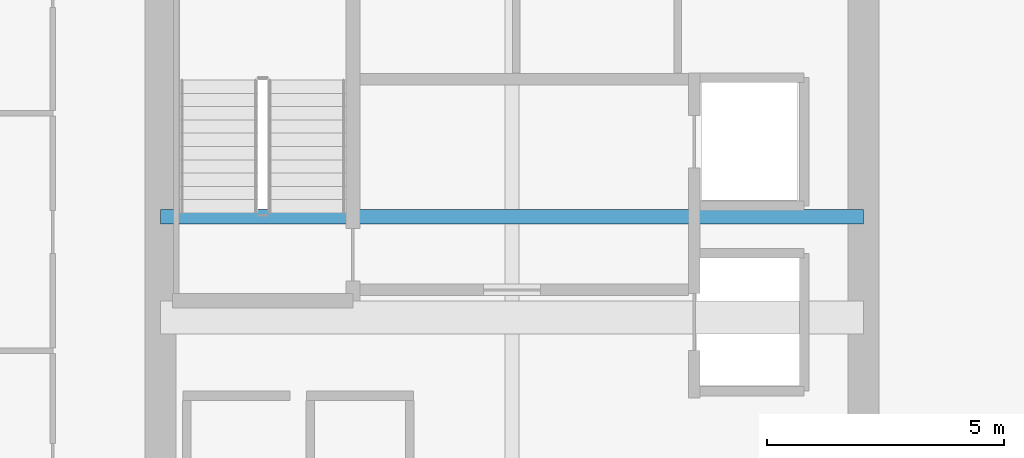
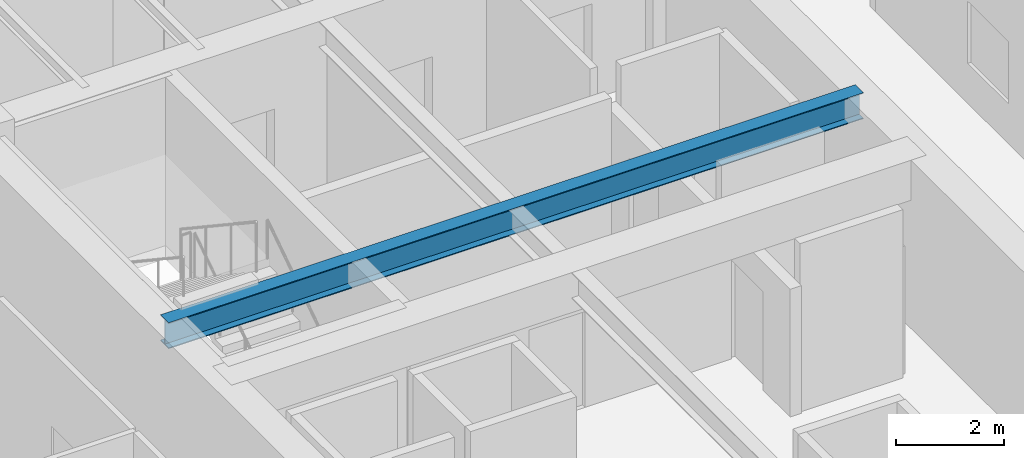
# One storey, part 9 of 31: 1 beam.
"""IFC4 building model written with IfcOpenShell, lengths in metres."""

from ifc_helpers import new_model, si_unit, direction, frame, origin, origin_2d, place, context, subcontext, project, spatial, i_section, extrude, source, transform, mapped, material, material_profile, profile_set, type_object, type_shapes, element, save


model = new_model("IFC4")

# Units and contexts
model_context = context("Model", 3, precision=1e-05, world=origin(), true_north=direction((0.0, 1.0)))
body_context = subcontext(model_context, "Body", "Model", "MODEL_VIEW")
ifc_project = project(units=[si_unit("LENGTHUNIT", "METRE"), si_unit("AREAUNIT", "SQUARE_METRE"), si_unit("VOLUMEUNIT", "CUBIC_METRE"), si_unit("PLANEANGLEUNIT", "RADIAN"), si_unit("MASSUNIT", "GRAM", prefix="KILO")], contexts=[model_context])

# Site, building, storey
site_placement = place(None, origin())
site = spatial("IfcSite", under=ifc_project, at=site_placement, CompositionType="ELEMENT")
building_placement = place(site_placement, origin())
building = spatial("IfcBuilding", under=site, at=building_placement, Name="Haelvirn Gate Laboratories", CompositionType="ELEMENT")
storey_placement = place(building_placement, frame((0.0, 0.0, 150.199951171875)))
storey = spatial("IfcBuildingStorey", under=building, at=storey_placement, Name="L36", CompositionType="ELEMENT", Elevation=150.199951171875)

# Beam
ifc_material = material(Name="Steel SM355", Category="steel")
ifc_material_profile = material_profile(ifc_material, i_section(OverallWidth=0.300048828125, OverallDepth=0.587890625, WebThickness=0.011962890625, FlangeThickness=0.02001953125, at=origin_2d()), Name="H-588x300x12x20")
ifc_profile_set = profile_set([ifc_material_profile], Name="Steel SM355")
beam_type = type_object("IfcBeamType", Name="BM-G-588", PredefinedType="BEAM", material=ifc_profile_set)
shared_shape = source(origin(), body_context, "Body", "SweptSolid", [
    extrude(i_section(OverallWidth=0.300048828125, OverallDepth=0.587890625, WebThickness=0.011962890625, FlangeThickness=0.02001953125, at=origin_2d()), origin(), (0.0, 0.0, 1.0), 14.800048828125),
])
type_shapes(beam_type, [shared_shape])
beam_placement = place(storey_placement, frame((7.39990234375, 26.6201171875, 3.49609375), z_axis=(1.0, 0.0, 0.0), x_axis=(0.0, 1.0, 0.0)))
element("IfcBeam", 1, at=beam_placement, inside=storey, type_object=beam_type, Name="L36 Stair ST1 Landing Header", PredefinedType="BEAM", context=body_context, shape_type="MappedRepresentation", body=[
    mapped(shared_shape, transform((0.0, 0.0, 0.0), scale=1.0)),
])

save(model, "model.ifc")
